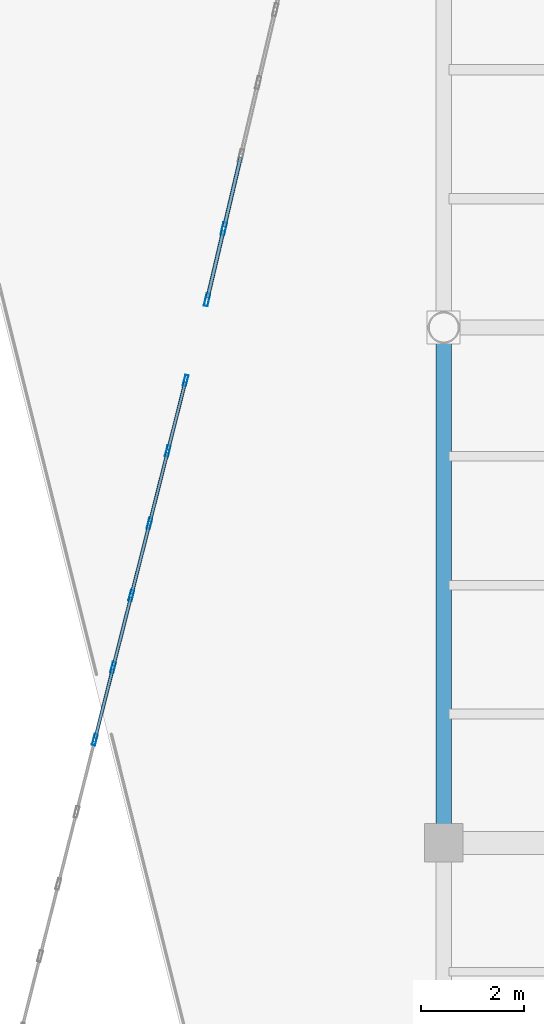
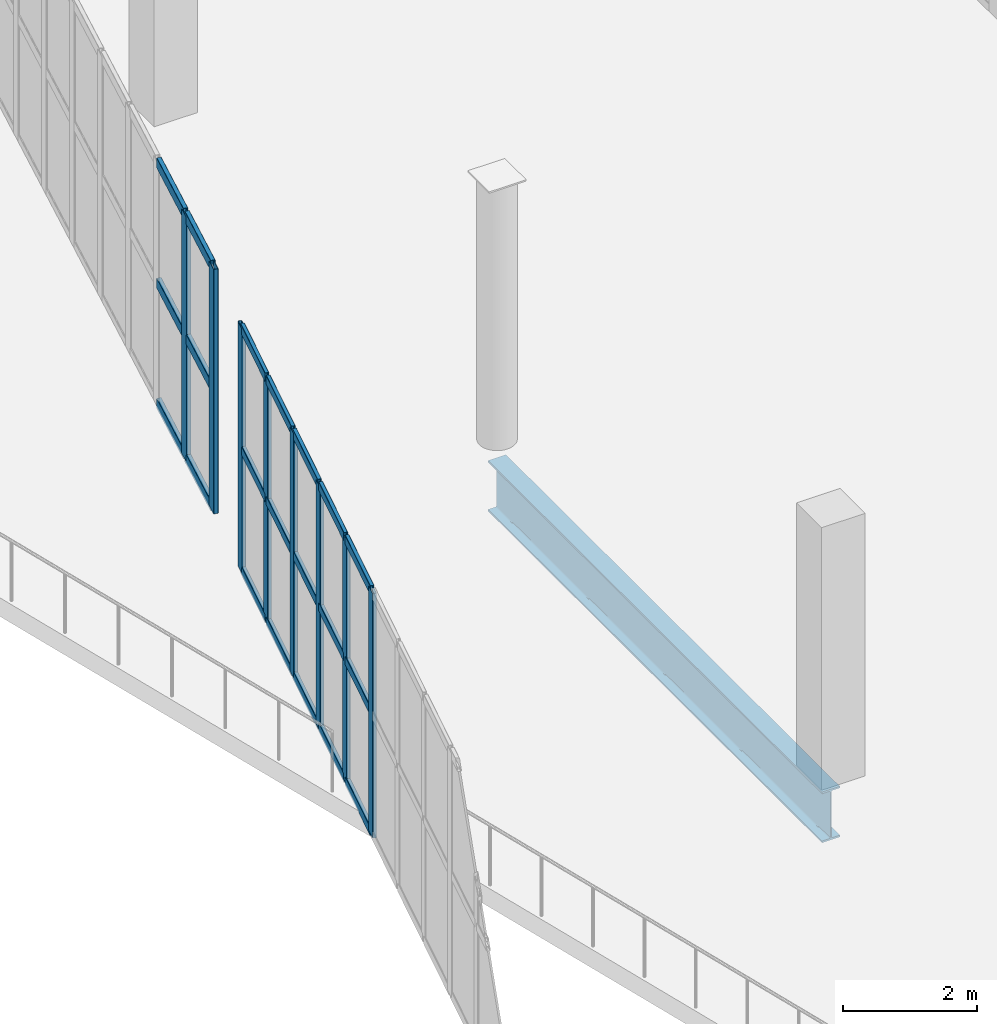
# One storey, part 42 of 136: 29 members, 1 beam, 2 elements without a shape of their own.
"""IFC4 building model written with IfcOpenShell, lengths in metres."""

import ifcopenshell
import ifcopenshell.guid

model = None  # the IFC model being written
_history = None  # IfcOwnerHistory: only IFC2X3 demands one
_inside = {}  # id of a spatial element -> (the spatial element, [elements in it])
_under = {}  # id of a project, library or spatial element -> (it, [spatial elements below it])
_declared = {}  # id of a project -> (the project, [libraries it declares])
_typed = {}  # id of a type object -> (the type object, [elements of that type])
_made_of = {}  # id of a material, layer set ... -> (it, [elements and type objects made of it])


def new_model(schema):
    """Start an empty IFC model of exactly this schema.

    Asked for "IFC4X3", IfcOpenShell would pick the latest addendum, in which some entities
    have other attributes; the version numbers below select the first issue.
    IFC2X3 requires an IfcOwnerHistory on every rooted entity: one is made here for all.
    """
    global model, _history
    if schema == "IFC4X3":
        model = ifcopenshell.file(schema_version=(4, 3, 0, 0))
    else:
        model = ifcopenshell.file(schema=schema)
    _inside.clear()
    _under.clear()
    _declared.clear()
    _typed.clear()
    _made_of.clear()
    _history = None
    if model.schema == "IFC2X3":
        org = make("IfcOrganization", Name="unknown")
        user = make(
            "IfcPersonAndOrganization",
            ThePerson=make("IfcPerson", FamilyName="unknown"),
            TheOrganization=org,
        )
        app = make(
            "IfcApplication",
            ApplicationDeveloper=org,
            Version="unknown",
            ApplicationFullName="unknown",
            ApplicationIdentifier="unknown",
        )
        _history = make(
            "IfcOwnerHistory",
            OwningUser=user,
            OwningApplication=app,
            ChangeAction="ADDED",
            CreationDate=0,
        )
    return model


def make(cls, **values):
    """One entity of the class cls with the attributes given. An attribute that is None is left unset."""
    return model.create_entity(
        cls, **{name: value for name, value in values.items() if value is not None}
    )


def rooted(cls, **values):
    """An entity with a GlobalId (a new one), such as an element, a storey or a relation."""
    return make(cls, GlobalId=ifcopenshell.guid.new(), OwnerHistory=_history, **values)


def si_unit(unit_type, name, prefix=None):
    """IfcSIUnit, for example si_unit("LENGTHUNIT", "METRE", prefix="MILLI")."""
    return make("IfcSIUnit", UnitType=unit_type, Prefix=prefix, Name=name)


def assignment(units):
    """IfcUnitAssignment: the units of a project."""
    return None if units is None else make("IfcUnitAssignment", Units=units)


def point(xyz):
    """IfcCartesianPoint."""
    return None if xyz is None else make("IfcCartesianPoint", Coordinates=xyz)


def direction(xyz):
    """IfcDirection."""
    return None if xyz is None else make("IfcDirection", DirectionRatios=xyz)


def frame(location, z_axis=None, x_axis=None):
    """IfcAxis2Placement3D, a coordinate frame: its origin and axes. An axis left out is left unset."""
    return make(
        "IfcAxis2Placement3D",
        Location=point(location),
        Axis=direction(z_axis),
        RefDirection=direction(x_axis),
    )


def frame_2d(location, x_axis=None):
    """IfcAxis2Placement2D, a coordinate frame in the plane: its origin and x axis."""
    return make(
        "IfcAxis2Placement2D", Location=point(location), RefDirection=direction(x_axis)
    )


def origin():
    """The frame at (0, 0, 0) with its axes left unset."""
    return frame((0.0, 0.0, 0.0))


def origin_2d():
    """The frame at (0, 0) in the plane with its x axis left unset."""
    return frame_2d((0.0, 0.0))


def place(relative_to, where):
    """IfcLocalPlacement: puts the frame where relative to a parent placement (None: the world)."""
    return make(
        "IfcLocalPlacement", PlacementRelTo=relative_to, RelativePlacement=where
    )


def context(
    kind, dimensions, precision=None, world=None, true_north=None, identifier=None
):
    """IfcGeometricRepresentationContext, for example the 3D "Model" context."""
    return make(
        "IfcGeometricRepresentationContext",
        ContextIdentifier=identifier,
        ContextType=kind,
        CoordinateSpaceDimension=dimensions,
        Precision=precision,
        WorldCoordinateSystem=world,
        TrueNorth=true_north,
    )


def subcontext(parent, identifier, kind, view, scale=None):
    """IfcGeometricRepresentationSubContext, for example "Body" below "Model"."""
    return make(
        "IfcGeometricRepresentationSubContext",
        ContextIdentifier=identifier,
        ContextType=kind,
        ParentContext=parent,
        TargetScale=scale,
        TargetView=view,
    )


def project(units=None, contexts=None):
    """IfcProject with its units and contexts."""
    return rooted(
        "IfcProject",
        Name="project",
        RepresentationContexts=contexts,
        UnitsInContext=assignment(units),
    )


def spatial(cls, under=None, at=None, **own):
    """A site, building, storey or space (cls), placed at a placement, below another one or the project."""
    s = rooted(cls, ObjectPlacement=at, **own)
    if under is not None:
        _under.setdefault(under.id(), (under, []))[1].append(s)
    return s


def profile(cls, at=None, kind="AREA", **sizes):
    """A parametric profile (cls). Its sizes go by their IFC names, for example OverallWidth=200.0."""
    return make(cls, ProfileType=kind, Position=at, **sizes)


def hollow_rectangle(**sizes):
    """IfcRectangleHollowProfileDef."""
    return profile("IfcRectangleHollowProfileDef", **sizes)


def i_section(**sizes):
    """IfcIShapeProfileDef."""
    return profile("IfcIShapeProfileDef", **sizes)


def extrude(swept, where, along, depth):
    """IfcExtrudedAreaSolid: the profile swept, set in the frame where, extruded along a direction by depth."""
    return make(
        "IfcExtrudedAreaSolid",
        SweptArea=swept,
        Position=where,
        ExtrudedDirection=direction(along),
        Depth=depth,
    )


def shape(context_of_items, identifier, shape_type, items):
    """IfcShapeRepresentation: the items that make up one representation, for example the "Body"."""
    return make(
        "IfcShapeRepresentation",
        ContextOfItems=context_of_items,
        RepresentationIdentifier=identifier,
        RepresentationType=shape_type,
        Items=items,
    )


def material(Name=None, Category=None):
    """IfcMaterial."""
    return make("IfcMaterial", Name=Name, Category=Category)


def layer(
    of_material, thickness, ventilated=None, Name=None, Category=None, Priority=None
):
    """IfcMaterialLayer: one layer of a wall or slab, of a material (None: an air gap)."""
    return make(
        "IfcMaterialLayer",
        Material=of_material,
        LayerThickness=thickness,
        IsVentilated=ventilated,
        Name=Name,
        Category=Category,
        Priority=Priority,
    )


def layer_set(layers, Name=None):
    """IfcMaterialLayerSet."""
    return make("IfcMaterialLayerSet", MaterialLayers=layers, LayerSetName=Name)


def material_profile(
    of_material, cross_section, Name=None, Category=None, Priority=None
):
    """IfcMaterialProfile: a cross section and its material."""
    return make(
        "IfcMaterialProfile",
        Name=Name,
        Material=of_material,
        Profile=cross_section,
        Priority=Priority,
        Category=Category,
    )


def profile_set(profiles, Name=None, composite=None):
    """IfcMaterialProfileSet."""
    return make(
        "IfcMaterialProfileSet",
        Name=Name,
        MaterialProfiles=profiles,
        CompositeProfile=composite,
    )


def made_of(thing, what):
    """Note that an element or type object is made of a material, layer set ...; save() writes the relation."""
    if what is not None:
        _made_of.setdefault(what.id(), (what, []))[1].append(thing)
    return thing


def type_object(cls, material=None, **own):
    """A type object (cls), such as IfcWallType, which elements share."""
    return made_of(rooted(cls, **own), material)


def element(
    cls,
    number,
    at=None,
    inside=None,
    cuts=None,
    type_object=None,
    material=None,
    context=None,
    identifier="Body",
    shape_type=None,
    held_by="IfcProductDefinitionShape",
    body=None,
    shapes=None,
    **own,
):
    """One element of the class cls, such as IfcWall. Its Tag is "e" and its number.

    at: its placement. inside: the storey or other place that contains it. cuts: it is an
    opening in that element (IfcRelVoidsElement). A single representation is given by context,
    identifier, shape_type and body (its items); several are given by shapes. held_by: the class
    of the entity that holds the representations. save() writes the other relations.
    """
    e = rooted(cls, Tag="e%d" % number, ObjectPlacement=at, **own)
    if body is not None:
        shapes = [shape(context, identifier, shape_type, body)]
    if shapes is not None:
        e.Representation = make(held_by, Representations=shapes)
    if inside is not None:
        _inside.setdefault(inside.id(), (inside, []))[1].append(e)
    if cuts is not None:
        rooted(
            "IfcRelVoidsElement", RelatingBuildingElement=cuts, RelatedOpeningElement=e
        )
    if type_object is not None:
        _typed.setdefault(type_object.id(), (type_object, []))[1].append(e)
    return made_of(e, material)


def aggregate(whole, parts):
    """IfcRelAggregates: a whole, such as a stair, and the parts it consists of."""
    return rooted("IfcRelAggregates", RelatingObject=whole, RelatedObjects=parts)


def save(model, path):
    """Write the relations noted so far, then the file.

    IfcRelAggregates (storeys below a building ...), IfcRelContainedInSpatialStructure (elements
    in a storey), IfcRelDefinesByType, IfcRelAssociatesMaterial and IfcRelDeclares: one each for
    every whole, place, type object, material and project.
    """
    for whole, parts in _under.values():
        aggregate(whole, parts)
    for where, things in _inside.values():
        rooted(
            "IfcRelContainedInSpatialStructure",
            RelatedElements=things,
            RelatingStructure=where,
        )
    for kind, things in _typed.values():
        rooted("IfcRelDefinesByType", RelatedObjects=things, RelatingType=kind)
    for what, things in _made_of.values():
        rooted("IfcRelAssociatesMaterial", RelatedObjects=things, RelatingMaterial=what)
    for by, libraries in _declared.values():
        rooted("IfcRelDeclares", RelatingContext=by, RelatedDefinitions=libraries)
    model.write(path)


model = new_model("IFC4")

# Units and contexts
model_context = context("Model", 3, precision=1e-05, world=origin(), true_north=direction((0.0, 1.0)))
body_context = subcontext(model_context, "Body", "Model", "MODEL_VIEW")
ifc_project = project(units=[si_unit("LENGTHUNIT", "METRE"), si_unit("AREAUNIT", "SQUARE_METRE"), si_unit("VOLUMEUNIT", "CUBIC_METRE"), si_unit("PLANEANGLEUNIT", "RADIAN"), si_unit("MASSUNIT", "GRAM", prefix="KILO")], contexts=[model_context])

# Site, building, storey
site_placement = place(None, origin())
site = spatial("IfcSite", under=ifc_project, at=site_placement, CompositionType="ELEMENT")
building_placement = place(site_placement, origin())
building = spatial("IfcBuilding", under=site, at=building_placement, Name="Brinegate Civic Arena", CompositionType="ELEMENT")
storey_placement = place(building_placement, frame((0.0, 0.0, 5.39990234375)))
storey = spatial("IfcBuildingStorey", under=building, at=storey_placement, Name="L01", CompositionType="ELEMENT", Elevation=5.39990234375)

# Curtain wall, members
ifc_material_1 = material(Name="Marine grade aluminium", Category="aluminium")
ifc_layer = layer(ifc_material_1, 0.215087890625, Name="Marine grade aluminium")
ifc_layer_set = layer_set([ifc_layer], Name="Marine grade aluminium")
curtain_wall_type = type_object("IfcCurtainWallType", Name="CW-FOYER-GLAZED-02", PredefinedType="USERDEFINED", material=ifc_layer_set)
curtain_wall_1_placement = place(storey_placement, origin())
curtain_wall_1 = element("IfcCurtainWall", 1, at=curtain_wall_1_placement, inside=storey, type_object=curtain_wall_type, Name="Curtain Wall CWA-001", ObjectType="GLAZED CURTAIN WALL", PredefinedType="USERDEFINED")
ifc_material_profile_1 = material_profile(ifc_material_1, hollow_rectangle(XDim=0.06494140625, YDim=0.219970703125, WallThickness=0.006103515625, InnerFilletRadius=0.00390625, OuterFilletRadius=0.008056640625, at=origin_2d()), Name="MUL65X220")
ifc_profile_set_1 = profile_set([ifc_material_profile_1], Name="Marine grade aluminium")
member_type_1 = type_object("IfcMemberType", Name="CW-MULLION-65X220", PredefinedType="MULLION", material=ifc_profile_set_1)
member_1_placement = place(storey_placement, frame((29.230712890625, 64.0, 0.0), z_axis=(0.0, 0.0, 1.0), x_axis=(-0.969512556417, 0.245041635134, 0.0)))
member_1 = element("IfcMember", 2, at=member_1_placement, type_object=member_type_1, Name="CWA-001 mullion 9", PredefinedType="MULLION", context=body_context, shape_type="SweptSolid", body=[
    extrude(hollow_rectangle(XDim=0.06494140625, YDim=0.219970703125, WallThickness=0.006103515625, InnerFilletRadius=0.00390625, OuterFilletRadius=0.008056640625, at=origin_2d()), origin(), (0.0, 0.0, 1.0), 4.47021484375),
])
member_2_placement = place(storey_placement, frame((29.584716796875, 65.39990234375, 0.0), z_axis=(0.0, 0.0, 1.0), x_axis=(-0.969512556417, 0.245041635134, 0.0)))
member_2 = element("IfcMember", 3, at=member_2_placement, type_object=member_type_1, Name="CWA-001 mullion 10", PredefinedType="MULLION", context=body_context, shape_type="SweptSolid", body=[
    extrude(hollow_rectangle(XDim=0.06494140625, YDim=0.219970703125, WallThickness=0.006103515625, InnerFilletRadius=0.00390625, OuterFilletRadius=0.008056640625, at=origin_2d()), origin(), (0.0, 0.0, 1.0), 4.47021484375),
])
member_3_placement = place(storey_placement, frame((29.9384765625, 66.800048828125, 0.0), z_axis=(0.0, 0.0, 1.0), x_axis=(-0.969512556417, 0.245041635134, 0.0)))
member_3 = element("IfcMember", 4, at=member_3_placement, type_object=member_type_1, Name="CWA-001 mullion 11", PredefinedType="MULLION", context=body_context, shape_type="SweptSolid", body=[
    extrude(hollow_rectangle(XDim=0.06494140625, YDim=0.219970703125, WallThickness=0.006103515625, InnerFilletRadius=0.00390625, OuterFilletRadius=0.008056640625, at=origin_2d()), origin(), (0.0, 0.0, 1.0), 4.47021484375),
])
member_4_placement = place(storey_placement, frame((30.292236328125, 68.199951171875, 0.0), z_axis=(0.0, 0.0, 1.0), x_axis=(-0.969512556417, 0.245041635134, 0.0)))
member_4 = element("IfcMember", 5, at=member_4_placement, type_object=member_type_1, Name="CWA-001 mullion 12", PredefinedType="MULLION", context=body_context, shape_type="SweptSolid", body=[
    extrude(hollow_rectangle(XDim=0.06494140625, YDim=0.219970703125, WallThickness=0.006103515625, InnerFilletRadius=0.00390625, OuterFilletRadius=0.008056640625, at=origin_2d()), origin(), (0.0, 0.0, 1.0), 4.47021484375),
])
member_5_placement = place(storey_placement, frame((30.646240234375, 69.60009765625, 0.0), z_axis=(0.0, 0.0, 1.0), x_axis=(-0.969512556417, 0.245041635134, 0.0)))
member_5 = element("IfcMember", 6, at=member_5_placement, type_object=member_type_1, Name="CWA-001 mullion 13", PredefinedType="MULLION", context=body_context, shape_type="SweptSolid", body=[
    extrude(hollow_rectangle(XDim=0.06494140625, YDim=0.219970703125, WallThickness=0.006103515625, InnerFilletRadius=0.00390625, OuterFilletRadius=0.008056640625, at=origin_2d()), origin(), (0.0, 0.0, 1.0), 4.47021484375),
])
member_6_placement = place(storey_placement, frame((30.991943359375, 70.968505859375, 0.0), z_axis=(0.0, 0.0, 1.0), x_axis=(-0.969512556417, 0.245041635134, 0.0)))
member_6 = element("IfcMember", 7, at=member_6_placement, type_object=member_type_1, Name="CWA-001 mullion 14", PredefinedType="MULLION", context=body_context, shape_type="SweptSolid", body=[
    extrude(hollow_rectangle(XDim=0.06494140625, YDim=0.219970703125, WallThickness=0.006103515625, InnerFilletRadius=0.00390625, OuterFilletRadius=0.008056640625, at=origin_2d()), origin(), (0.0, 0.0, 1.0), 4.47021484375),
])

curtain_wall_2_placement = place(storey_placement, origin())
curtain_wall_2 = element("IfcCurtainWall", 8, at=curtain_wall_2_placement, inside=storey, type_object=curtain_wall_type, Name="Curtain Wall CWA-002", ObjectType="GLAZED CURTAIN WALL", PredefinedType="USERDEFINED")
ifc_material_profile_2 = material_profile(ifc_material_1, hollow_rectangle(XDim=0.074951171875, YDim=0.25, WallThickness=0.006103515625, InnerFilletRadius=0.00390625, OuterFilletRadius=0.008056640625, at=origin_2d()), Name="MUL75X250")
ifc_profile_set_2 = profile_set([ifc_material_profile_2], Name="Marine grade aluminium")
member_type_2 = type_object("IfcMemberType", Name="CW-MULLION-75X250", PredefinedType="MULLION", material=ifc_profile_set_2)
member_7_placement = place(storey_placement, frame((31.40869140625, 72.53662109375, 0.0), z_axis=(0.0, 0.0, 1.0), x_axis=(-0.973417168334, 0.229039333722, 0.0)))
member_7 = element("IfcMember", 9, at=member_7_placement, type_object=member_type_2, Name="CWA-002 mullion 1", PredefinedType="MULLION", context=body_context, shape_type="SweptSolid", body=[
    extrude(hollow_rectangle(XDim=0.074951171875, YDim=0.25, WallThickness=0.006103515625, InnerFilletRadius=0.00390625, OuterFilletRadius=0.008056640625, at=origin_2d()), origin(), (0.0, 0.0, 1.0), 4.47021484375),
])
member_8_placement = place(storey_placement, frame((31.7333984375, 73.916748046875, 0.0), z_axis=(0.0, 0.0, 1.0), x_axis=(-0.973417168334, 0.229039333722, 0.0)))
member_8 = element("IfcMember", 10, at=member_8_placement, type_object=member_type_2, Name="CWA-002 mullion 2", PredefinedType="MULLION", context=body_context, shape_type="SweptSolid", body=[
    extrude(hollow_rectangle(XDim=0.074951171875, YDim=0.25, WallThickness=0.006103515625, InnerFilletRadius=0.00390625, OuterFilletRadius=0.008056640625, at=origin_2d()), origin(), (0.0, 0.0, 1.0), 4.47021484375),
])

# Member
ifc_material_profile_3 = material_profile(ifc_material_1, hollow_rectangle(XDim=0.06494140625, YDim=0.1650390625, WallThickness=0.0048828125, InnerFilletRadius=0.00390625, OuterFilletRadius=0.008056640625, at=origin_2d()), Name="TRN65X165")
ifc_profile_set_3 = profile_set([ifc_material_profile_3], Name="Marine grade aluminium")
member_type_3 = type_object("IfcMemberType", Name="CW-TRANSOM-65X165", PredefinedType="USERDEFINED", material=ifc_profile_set_3)
member_9_placement = place(storey_placement, frame((29.23876953125, 64.031494140625, 0.03271484375), z_axis=(0.245034320098, 0.969514405243, 0.0), x_axis=(-0.969514405243, 0.245034320098, 0.0)))
member_9 = element("IfcMember", 11, at=member_9_placement, type_object=member_type_3, Name="CWA-001 transom 9.1", ObjectType="TRANSOM", PredefinedType="USERDEFINED", context=body_context, shape_type="SweptSolid", body=[
    extrude(hollow_rectangle(XDim=0.06494140625, YDim=0.1650390625, WallThickness=0.0048828125, InnerFilletRadius=0.00390625, OuterFilletRadius=0.008056640625, at=origin_2d()), origin(), (0.0, 0.0, 1.0), 1.37890625),
])

member_10_placement = place(storey_placement, frame((29.23876953125, 64.031494140625, 2.235107421875), z_axis=(0.245034320098, 0.969514405243, 0.0), x_axis=(-0.969514405243, 0.245034320098, 0.0)))
member_10 = element("IfcMember", 12, at=member_10_placement, type_object=member_type_3, Name="CWA-001 transom 9.2", ObjectType="TRANSOM", PredefinedType="USERDEFINED", context=body_context, shape_type="SweptSolid", body=[
    extrude(hollow_rectangle(XDim=0.06494140625, YDim=0.1650390625, WallThickness=0.0048828125, InnerFilletRadius=0.00390625, OuterFilletRadius=0.008056640625, at=origin_2d()), origin(), (0.0, 0.0, 1.0), 1.37890625),
])

member_11_placement = place(storey_placement, frame((29.23876953125, 64.031494140625, 4.4375), z_axis=(0.245034320098, 0.969514405243, 0.0), x_axis=(-0.969514405243, 0.245034320098, 0.0)))
member_11 = element("IfcMember", 13, at=member_11_placement, type_object=member_type_3, Name="CWA-001 transom 9.3", ObjectType="TRANSOM", PredefinedType="USERDEFINED", context=body_context, shape_type="SweptSolid", body=[
    extrude(hollow_rectangle(XDim=0.06494140625, YDim=0.1650390625, WallThickness=0.0048828125, InnerFilletRadius=0.00390625, OuterFilletRadius=0.008056640625, at=origin_2d()), origin(), (0.0, 0.0, 1.0), 1.37890625),
])

member_12_placement = place(storey_placement, frame((29.592529296875, 65.431396484375, 0.03271484375), z_axis=(0.24499226682, 0.969525032786, 0.0), x_axis=(-0.969525032786, 0.24499226682, 0.0)))
member_12 = element("IfcMember", 14, at=member_12_placement, type_object=member_type_3, Name="CWA-001 transom 10.1", ObjectType="TRANSOM", PredefinedType="USERDEFINED", context=body_context, shape_type="SweptSolid", body=[
    extrude(hollow_rectangle(XDim=0.06494140625, YDim=0.1650390625, WallThickness=0.0048828125, InnerFilletRadius=0.00390625, OuterFilletRadius=0.008056640625, at=origin_2d()), origin(), (0.0, 0.0, 1.0), 1.379150390625),
])

member_13_placement = place(storey_placement, frame((29.592529296875, 65.431396484375, 2.235107421875), z_axis=(0.24499226682, 0.969525032786, 0.0), x_axis=(-0.969525032786, 0.24499226682, 0.0)))
member_13 = element("IfcMember", 15, at=member_13_placement, type_object=member_type_3, Name="CWA-001 transom 10.2", ObjectType="TRANSOM", PredefinedType="USERDEFINED", context=body_context, shape_type="SweptSolid", body=[
    extrude(hollow_rectangle(XDim=0.06494140625, YDim=0.1650390625, WallThickness=0.0048828125, InnerFilletRadius=0.00390625, OuterFilletRadius=0.008056640625, at=origin_2d()), origin(), (0.0, 0.0, 1.0), 1.379150390625),
])

member_14_placement = place(storey_placement, frame((29.592529296875, 65.431396484375, 4.4375), z_axis=(0.24499226682, 0.969525032786, 0.0), x_axis=(-0.969525032786, 0.24499226682, 0.0)))
member_14 = element("IfcMember", 16, at=member_14_placement, type_object=member_type_3, Name="CWA-001 transom 10.3", ObjectType="TRANSOM", PredefinedType="USERDEFINED", context=body_context, shape_type="SweptSolid", body=[
    extrude(hollow_rectangle(XDim=0.06494140625, YDim=0.1650390625, WallThickness=0.0048828125, InnerFilletRadius=0.00390625, OuterFilletRadius=0.008056640625, at=origin_2d()), origin(), (0.0, 0.0, 1.0), 1.379150390625),
])

member_15_placement = place(storey_placement, frame((29.946533203125, 66.83154296875, 0.03271484375), z_axis=(0.245034320098, 0.969514405243, 0.0), x_axis=(-0.969514405243, 0.245034320098, 0.0)))
member_15 = element("IfcMember", 17, at=member_15_placement, type_object=member_type_3, Name="CWA-001 transom 11.1", ObjectType="TRANSOM", PredefinedType="USERDEFINED", context=body_context, shape_type="SweptSolid", body=[
    extrude(hollow_rectangle(XDim=0.06494140625, YDim=0.1650390625, WallThickness=0.0048828125, InnerFilletRadius=0.00390625, OuterFilletRadius=0.008056640625, at=origin_2d()), origin(), (0.0, 0.0, 1.0), 1.37890625),
])

member_16_placement = place(storey_placement, frame((29.946533203125, 66.83154296875, 2.235107421875), z_axis=(0.245034320098, 0.969514405243, 0.0), x_axis=(-0.969514405243, 0.245034320098, 0.0)))
member_16 = element("IfcMember", 18, at=member_16_placement, type_object=member_type_3, Name="CWA-001 transom 11.2", ObjectType="TRANSOM", PredefinedType="USERDEFINED", context=body_context, shape_type="SweptSolid", body=[
    extrude(hollow_rectangle(XDim=0.06494140625, YDim=0.1650390625, WallThickness=0.0048828125, InnerFilletRadius=0.00390625, OuterFilletRadius=0.008056640625, at=origin_2d()), origin(), (0.0, 0.0, 1.0), 1.37890625),
])

member_17_placement = place(storey_placement, frame((29.946533203125, 66.83154296875, 4.4375), z_axis=(0.245034320098, 0.969514405243, 0.0), x_axis=(-0.969514405243, 0.245034320098, 0.0)))
member_17 = element("IfcMember", 19, at=member_17_placement, type_object=member_type_3, Name="CWA-001 transom 11.3", ObjectType="TRANSOM", PredefinedType="USERDEFINED", context=body_context, shape_type="SweptSolid", body=[
    extrude(hollow_rectangle(XDim=0.06494140625, YDim=0.1650390625, WallThickness=0.0048828125, InnerFilletRadius=0.00390625, OuterFilletRadius=0.008056640625, at=origin_2d()), origin(), (0.0, 0.0, 1.0), 1.37890625),
])

member_18_placement = place(storey_placement, frame((30.30029296875, 68.2314453125, 0.03271484375), z_axis=(0.24499226682, 0.969525032786, 0.0), x_axis=(-0.969525032786, 0.24499226682, 0.0)))
member_18 = element("IfcMember", 20, at=member_18_placement, type_object=member_type_3, Name="CWA-001 transom 12.1", ObjectType="TRANSOM", PredefinedType="USERDEFINED", context=body_context, shape_type="SweptSolid", body=[
    extrude(hollow_rectangle(XDim=0.06494140625, YDim=0.1650390625, WallThickness=0.0048828125, InnerFilletRadius=0.00390625, OuterFilletRadius=0.008056640625, at=origin_2d()), origin(), (0.0, 0.0, 1.0), 1.379150390625),
])

member_19_placement = place(storey_placement, frame((30.30029296875, 68.2314453125, 2.235107421875), z_axis=(0.24499226682, 0.969525032786, 0.0), x_axis=(-0.969525032786, 0.24499226682, 0.0)))
member_19 = element("IfcMember", 21, at=member_19_placement, type_object=member_type_3, Name="CWA-001 transom 12.2", ObjectType="TRANSOM", PredefinedType="USERDEFINED", context=body_context, shape_type="SweptSolid", body=[
    extrude(hollow_rectangle(XDim=0.06494140625, YDim=0.1650390625, WallThickness=0.0048828125, InnerFilletRadius=0.00390625, OuterFilletRadius=0.008056640625, at=origin_2d()), origin(), (0.0, 0.0, 1.0), 1.379150390625),
])

member_20_placement = place(storey_placement, frame((30.30029296875, 68.2314453125, 4.4375), z_axis=(0.24499226682, 0.969525032786, 0.0), x_axis=(-0.969525032786, 0.24499226682, 0.0)))
member_20 = element("IfcMember", 22, at=member_20_placement, type_object=member_type_3, Name="CWA-001 transom 12.3", ObjectType="TRANSOM", PredefinedType="USERDEFINED", context=body_context, shape_type="SweptSolid", body=[
    extrude(hollow_rectangle(XDim=0.06494140625, YDim=0.1650390625, WallThickness=0.0048828125, InnerFilletRadius=0.00390625, OuterFilletRadius=0.008056640625, at=origin_2d()), origin(), (0.0, 0.0, 1.0), 1.379150390625),
])

member_21_placement = place(storey_placement, frame((30.654052734375, 69.631591796875, 0.03271484375), z_axis=(0.245137148183, 0.969488410751, 0.0), x_axis=(-0.969488410751, 0.245137148183, 0.0)))
member_21 = element("IfcMember", 23, at=member_21_placement, type_object=member_type_3, Name="CWA-001 transom 13.1", ObjectType="TRANSOM", PredefinedType="USERDEFINED", context=body_context, shape_type="SweptSolid", body=[
    extrude(hollow_rectangle(XDim=0.06494140625, YDim=0.1650390625, WallThickness=0.0048828125, InnerFilletRadius=0.00390625, OuterFilletRadius=0.008056640625, at=origin_2d()), origin(), (0.0, 0.0, 1.0), 1.346435546875),
])

member_22_placement = place(storey_placement, frame((30.654052734375, 69.631591796875, 2.235107421875), z_axis=(0.245137148183, 0.969488410751, 0.0), x_axis=(-0.969488410751, 0.245137148183, 0.0)))
member_22 = element("IfcMember", 24, at=member_22_placement, type_object=member_type_3, Name="CWA-001 transom 13.2", ObjectType="TRANSOM", PredefinedType="USERDEFINED", context=body_context, shape_type="SweptSolid", body=[
    extrude(hollow_rectangle(XDim=0.06494140625, YDim=0.1650390625, WallThickness=0.0048828125, InnerFilletRadius=0.00390625, OuterFilletRadius=0.008056640625, at=origin_2d()), origin(), (0.0, 0.0, 1.0), 1.346435546875),
])

member_23_placement = place(storey_placement, frame((30.654052734375, 69.631591796875, 4.4375), z_axis=(0.245137148183, 0.969488410751, 0.0), x_axis=(-0.969488410751, 0.245137148183, 0.0)))
member_23 = element("IfcMember", 25, at=member_23_placement, type_object=member_type_3, Name="CWA-001 transom 13.3", ObjectType="TRANSOM", PredefinedType="USERDEFINED", context=body_context, shape_type="SweptSolid", body=[
    extrude(hollow_rectangle(XDim=0.06494140625, YDim=0.1650390625, WallThickness=0.0048828125, InnerFilletRadius=0.00390625, OuterFilletRadius=0.008056640625, at=origin_2d()), origin(), (0.0, 0.0, 1.0), 1.346435546875),
])

aggregate(curtain_wall_1, [member_1, member_2, member_3, member_4, member_5, member_6, member_9, member_10, member_11, member_12, member_13, member_14, member_15, member_16, member_17, member_18, member_19, member_20, member_21, member_22, member_23])

ifc_material_profile_4 = material_profile(ifc_material_1, hollow_rectangle(XDim=0.074951171875, YDim=0.18994140625, WallThickness=0.006103515625, InnerFilletRadius=0.00390625, OuterFilletRadius=0.008056640625, at=origin_2d()), Name="TRN75X190")
ifc_profile_set_4 = profile_set([ifc_material_profile_4], Name="Marine grade aluminium")
member_type_4 = type_object("IfcMemberType", Name="CW-TRANSOM-75X190", PredefinedType="USERDEFINED", material=ifc_profile_set_4)
member_24_placement = place(storey_placement, frame((31.417236328125, 72.572998046875, 0.03759765625), z_axis=(0.229079868086, 0.973407629946, 0.0), x_axis=(-0.973407629946, 0.229079868086, 0.0)))
member_24 = element("IfcMember", 26, at=member_24_placement, type_object=member_type_4, Name="CWA-002 transom 1.1", ObjectType="TRANSOM", PredefinedType="USERDEFINED", context=body_context, shape_type="SweptSolid", body=[
    extrude(hollow_rectangle(XDim=0.074951171875, YDim=0.18994140625, WallThickness=0.006103515625, InnerFilletRadius=0.00390625, OuterFilletRadius=0.008056640625, at=origin_2d()), origin(), (0.0, 0.0, 1.0), 1.3427734375),
])

member_25_placement = place(storey_placement, frame((31.417236328125, 72.572998046875, 2.235107421875), z_axis=(0.229079868086, 0.973407629946, 0.0), x_axis=(-0.973407629946, 0.229079868086, 0.0)))
member_25 = element("IfcMember", 27, at=member_25_placement, type_object=member_type_4, Name="CWA-002 transom 1.2", ObjectType="TRANSOM", PredefinedType="USERDEFINED", context=body_context, shape_type="SweptSolid", body=[
    extrude(hollow_rectangle(XDim=0.074951171875, YDim=0.18994140625, WallThickness=0.006103515625, InnerFilletRadius=0.00390625, OuterFilletRadius=0.008056640625, at=origin_2d()), origin(), (0.0, 0.0, 1.0), 1.3427734375),
])

member_26_placement = place(storey_placement, frame((31.417236328125, 72.572998046875, 4.4326171875), z_axis=(0.229079868086, 0.973407629946, 0.0), x_axis=(-0.973407629946, 0.229079868086, 0.0)))
member_26 = element("IfcMember", 28, at=member_26_placement, type_object=member_type_4, Name="CWA-002 transom 1.3", ObjectType="TRANSOM", PredefinedType="USERDEFINED", context=body_context, shape_type="SweptSolid", body=[
    extrude(hollow_rectangle(XDim=0.074951171875, YDim=0.18994140625, WallThickness=0.006103515625, InnerFilletRadius=0.00390625, OuterFilletRadius=0.008056640625, at=origin_2d()), origin(), (0.0, 0.0, 1.0), 1.3427734375),
])

member_27_placement = place(storey_placement, frame((31.741943359375, 73.953125, 0.03759765625), z_axis=(0.229029476125, 0.973419487716, 0.0), x_axis=(-0.973419487716, 0.229029476125, 0.0)))
member_27 = element("IfcMember", 29, at=member_27_placement, type_object=member_type_4, Name="CWA-002 transom 2.1", ObjectType="TRANSOM", PredefinedType="USERDEFINED", context=body_context, shape_type="SweptSolid", body=[
    extrude(hollow_rectangle(XDim=0.074951171875, YDim=0.18994140625, WallThickness=0.006103515625, InnerFilletRadius=0.00390625, OuterFilletRadius=0.008056640625, at=origin_2d()), origin(), (0.0, 0.0, 1.0), 1.38037109375),
])

member_28_placement = place(storey_placement, frame((31.741943359375, 73.953125, 2.235107421875), z_axis=(0.229029476125, 0.973419487716, 0.0), x_axis=(-0.973419487716, 0.229029476125, 0.0)))
member_28 = element("IfcMember", 30, at=member_28_placement, type_object=member_type_4, Name="CWA-002 transom 2.2", ObjectType="TRANSOM", PredefinedType="USERDEFINED", context=body_context, shape_type="SweptSolid", body=[
    extrude(hollow_rectangle(XDim=0.074951171875, YDim=0.18994140625, WallThickness=0.006103515625, InnerFilletRadius=0.00390625, OuterFilletRadius=0.008056640625, at=origin_2d()), origin(), (0.0, 0.0, 1.0), 1.38037109375),
])

member_29_placement = place(storey_placement, frame((31.741943359375, 73.953125, 4.4326171875), z_axis=(0.229029476125, 0.973419487716, 0.0), x_axis=(-0.973419487716, 0.229029476125, 0.0)))
member_29 = element("IfcMember", 31, at=member_29_placement, type_object=member_type_4, Name="CWA-002 transom 2.3", ObjectType="TRANSOM", PredefinedType="USERDEFINED", context=body_context, shape_type="SweptSolid", body=[
    extrude(hollow_rectangle(XDim=0.074951171875, YDim=0.18994140625, WallThickness=0.006103515625, InnerFilletRadius=0.00390625, OuterFilletRadius=0.008056640625, at=origin_2d()), origin(), (0.0, 0.0, 1.0), 1.38037109375),
])

aggregate(curtain_wall_2, [member_7, member_8, member_24, member_25, member_26, member_27, member_28, member_29])

# Beam
ifc_material_2 = material(Name="Steel S355", Category="steel")
ifc_material_profile_5 = material_profile(ifc_material_2, i_section(OverallWidth=0.30810546875, OverallDepth=0.927001953125, WebThickness=0.01904296875, FlangeThickness=0.031982421875, FilletRadius=0.02392578125, at=origin_2d()), Name="W920X289")
ifc_profile_set_5 = profile_set([ifc_material_profile_5], Name="Steel S355")
beam_type = type_object("IfcBeamType", Name="GIRDER-W920X289", PredefinedType="BEAM", material=ifc_profile_set_5)
beam_placement = place(storey_placement, frame((36.0, 62.0, -0.802978515625), z_axis=(0.0, 1.0, 0.0), x_axis=(-1.0, 0.0, 0.0)))
element("IfcBeam", 32, at=beam_placement, inside=storey, type_object=beam_type, Name="Floor Girder BM-L01-GY-03-06", PredefinedType="BEAM", context=body_context, shape_type="SweptSolid", body=[
    extrude(i_section(OverallWidth=0.30810546875, OverallDepth=0.927001953125, WebThickness=0.01904296875, FlangeThickness=0.031982421875, FilletRadius=0.02392578125, at=origin_2d()), origin(), (0.0, 0.0, 1.0), 10.0),
])

save(model, "model.ifc")
